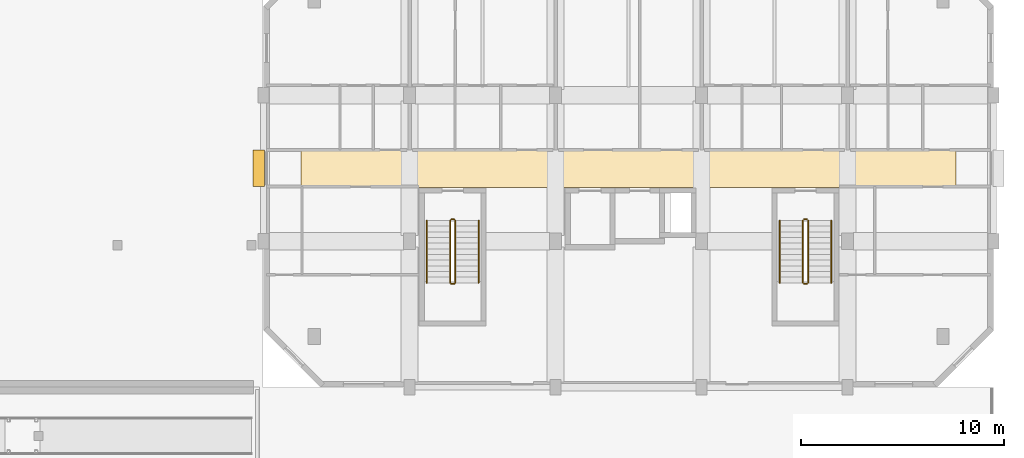
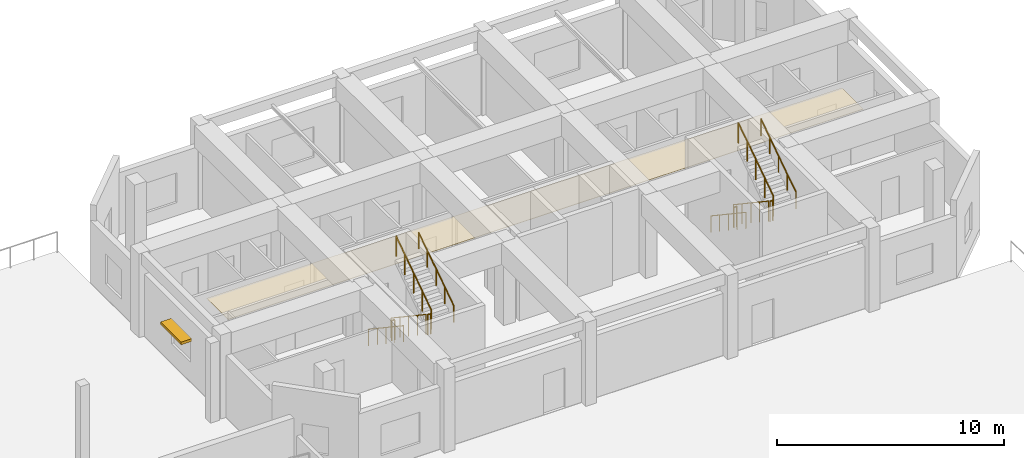
# One storey, part 84 of 85: 12 railings, 1 covering, 1 shading device.
"""IFC4 building model written with IfcOpenShell, lengths in metres."""

from ifc_helpers import new_model, si_unit, direction, frame, origin, origin_2d, place, context, subcontext, project, spatial, polyline, rectangle, circle, outline, extrude, material, layer, layer_set, type_object, element, save


model = new_model("IFC4")

# Units and contexts
model_context = context("Model", 3, precision=1e-05, world=origin(), true_north=direction((0.0, 1.0)))
body_context = subcontext(model_context, "Body", "Model", "MODEL_VIEW")
ifc_project = project(units=[si_unit("LENGTHUNIT", "METRE"), si_unit("AREAUNIT", "SQUARE_METRE"), si_unit("VOLUMEUNIT", "CUBIC_METRE"), si_unit("PLANEANGLEUNIT", "RADIAN"), si_unit("MASSUNIT", "GRAM", prefix="KILO")], contexts=[model_context])

# Site, building, storey
site_placement = place(None, origin())
site = spatial("IfcSite", under=ifc_project, at=site_placement, CompositionType="ELEMENT")
building_placement = place(site_placement, origin())
building = spatial("IfcBuilding", under=site, at=building_placement, Name="Ochrevale Crest", CompositionType="ELEMENT")
storey_placement = place(building_placement, origin())
storey = spatial("IfcBuildingStorey", under=building, at=storey_placement, Name="L00", CompositionType="ELEMENT", Elevation=0.0)

# Covering
ifc_material_1 = material(Name="Gypsum plasterboard", Category="gypsum")
ifc_layer = layer(ifc_material_1, 0.02490234375)
ifc_layer_set = layer_set([ifc_layer], Name="Gypsum plasterboard")
covering_type = type_object("IfcCoveringType", Name="COV-CEIL-GYP", PredefinedType="CEILING", material=ifc_layer_set)
covering_placement = place(storey_placement, frame((0.0, 0.0, 2.75)))
element("IfcCovering", 1, at=covering_placement, inside=storey, type_object=covering_type, Name="Block D L00 acoustic corridor ceiling", PredefinedType="CEILING", context=body_context, shape_type="SweptSolid", body=[
    extrude(outline(polyline([(131.449951171875, 81.860107421875), (163.75, 81.860107421875), (163.75, 83.739990234375), (131.449951171875, 83.739990234375), (131.449951171875, 81.860107421875)])), origin(), (0.0, 0.0, 1.0), 0.02490234375),
])

# Railings
ifc_material_2 = material(Name="Galvanised steel", Category="steel")
railing_type_1 = type_object("IfcRailingType", Name="RL-ST-GUARD", PredefinedType="BALUSTRADE", material=ifc_material_2)
railing_1_placement = place(storey_placement, frame((138.800048828125, 80.22509765625, 0.1875)))
element("IfcRailing", 2, at=railing_1_placement, inside=storey, type_object=railing_type_1, Name="L00 ST-D1 stair guard 1", PredefinedType="BALUSTRADE", context=body_context, shape_type="SweptSolid", body=[
    extrude(circle(Radius=0.02392578125, at=origin_2d()), frame((0.0, 0.0, 1.076171875), z_axis=(0.0, -0.830913701846, 0.55640131208), x_axis=(1.0, 0.0, 0.0)), (0.0, 0.0, 1.0), 3.706787109375),
    extrude(circle(Radius=0.02099609375, at=origin_2d()), origin(), (0.0, 0.0, 1.0), 1.052001953125),
    extrude(circle(Radius=0.02099609375, at=origin_2d()), frame((0.0, -0.77001953125, 0.515625)), (0.0, 0.0, 1.0), 1.052001953125),
    extrude(circle(Radius=0.02099609375, at=origin_2d()), frame((0.0, -1.5400390625, 1.03125)), (0.0, 0.0, 1.0), 1.052001953125),
    extrude(circle(Radius=0.02099609375, at=origin_2d()), frame((0.0, -2.31005859375, 1.546875)), (0.0, 0.0, 1.0), 1.052001953125),
    extrude(circle(Radius=0.02099609375, at=origin_2d()), frame((0.0, -3.080078125, 2.0625)), (0.0, 0.0, 1.0), 1.052001953125),
])
railing_2_placement = place(storey_placement, frame((138.85009765625, 77.094970703125, 2.25)))
element("IfcRailing", 3, at=railing_2_placement, inside=storey, type_object=railing_type_1, Name="L00 ST-D1 stair guard 2", PredefinedType="BALUSTRADE", context=body_context, shape_type="SweptSolid", body=[
    extrude(circle(Radius=0.02392578125, at=origin_2d()), frame((0.0, 0.0, 1.076171875), z_axis=(1.0, 0.0, 0.0), x_axis=(0.0, 1.0, 0.0)), (0.0, 0.0, 1.0), 0.14990234375),
    extrude(circle(Radius=0.02099609375, at=origin_2d()), origin(), (0.0, 0.0, 1.0), 1.052001953125),
    extrude(circle(Radius=0.02099609375, at=origin_2d()), frame((0.14990234375, 0.0, 0.0)), (0.0, 0.0, 1.0), 1.052001953125),
])
railing_3_placement = place(storey_placement, frame((139.050048828125, 77.14501953125, 2.4375)))
element("IfcRailing", 4, at=railing_3_placement, inside=storey, type_object=railing_type_1, Name="L00 ST-D1 stair guard 3", PredefinedType="BALUSTRADE", context=body_context, shape_type="SweptSolid", body=[
    extrude(circle(Radius=0.02392578125, at=origin_2d()), frame((0.0, 0.0, 1.076171875), z_axis=(0.0, 0.830913701846, 0.55640131208), x_axis=(-1.0, 0.0, 0.0)), (0.0, 0.0, 1.0), 3.706787109375),
    extrude(circle(Radius=0.02099609375, at=origin_2d()), origin(), (0.0, 0.0, 1.0), 1.052001953125),
    extrude(circle(Radius=0.02099609375, at=origin_2d()), frame((0.0, 0.77001953125, 0.515625)), (0.0, 0.0, 1.0), 1.052001953125),
    extrude(circle(Radius=0.02099609375, at=origin_2d()), frame((0.0, 1.5400390625, 1.03125)), (0.0, 0.0, 1.0), 1.052001953125),
    extrude(circle(Radius=0.02099609375, at=origin_2d()), frame((0.0, 2.31005859375, 1.546875)), (0.0, 0.0, 1.0), 1.052001953125),
    extrude(circle(Radius=0.02099609375, at=origin_2d()), frame((0.0, 3.080078125, 2.0625)), (0.0, 0.0, 1.0), 1.052001953125),
])
railing_4_placement = place(storey_placement, frame((138.85009765625, 80.27490234375, 0.0)))
element("IfcRailing", 5, at=railing_4_placement, inside=storey, type_object=railing_type_1, Name="L00 ST-D1 stair guard 4", PredefinedType="BALUSTRADE", context=body_context, shape_type="SweptSolid", body=[
    extrude(circle(Radius=0.02392578125, at=origin_2d()), frame((0.0, 0.0, 1.076171875), z_axis=(1.0, 0.0, 0.0), x_axis=(0.0, 1.0, 0.0)), (0.0, 0.0, 1.0), 0.14990234375),
    extrude(circle(Radius=0.02099609375, at=origin_2d()), origin(), (0.0, 0.0, 1.0), 1.052001953125),
    extrude(circle(Radius=0.02099609375, at=origin_2d()), frame((0.14990234375, 0.0, 0.0)), (0.0, 0.0, 1.0), 1.052001953125),
])
railing_5_placement = place(storey_placement, frame((156.199951171875, 80.22509765625, 0.1875)))
element("IfcRailing", 6, at=railing_5_placement, inside=storey, type_object=railing_type_1, Name="L00 ST-D2 stair guard 1", PredefinedType="BALUSTRADE", context=body_context, shape_type="SweptSolid", body=[
    extrude(circle(Radius=0.02392578125, at=origin_2d()), frame((0.0, 0.0, 1.076171875), z_axis=(0.0, -0.830913701846, 0.55640131208), x_axis=(1.0, 0.0, 0.0)), (0.0, 0.0, 1.0), 3.706787109375),
    extrude(circle(Radius=0.02099609375, at=origin_2d()), origin(), (0.0, 0.0, 1.0), 1.052001953125),
    extrude(circle(Radius=0.02099609375, at=origin_2d()), frame((0.0, -0.77001953125, 0.515625)), (0.0, 0.0, 1.0), 1.052001953125),
    extrude(circle(Radius=0.02099609375, at=origin_2d()), frame((0.0, -1.5400390625, 1.03125)), (0.0, 0.0, 1.0), 1.052001953125),
    extrude(circle(Radius=0.02099609375, at=origin_2d()), frame((0.0, -2.31005859375, 1.546875)), (0.0, 0.0, 1.0), 1.052001953125),
    extrude(circle(Radius=0.02099609375, at=origin_2d()), frame((0.0, -3.080078125, 2.0625)), (0.0, 0.0, 1.0), 1.052001953125),
])
railing_6_placement = place(storey_placement, frame((156.25, 77.094970703125, 2.25)))
element("IfcRailing", 7, at=railing_6_placement, inside=storey, type_object=railing_type_1, Name="L00 ST-D2 stair guard 2", PredefinedType="BALUSTRADE", context=body_context, shape_type="SweptSolid", body=[
    extrude(circle(Radius=0.02392578125, at=origin_2d()), frame((0.0, 0.0, 1.076171875), z_axis=(1.0, 0.0, 0.0), x_axis=(0.0, 1.0, 0.0)), (0.0, 0.0, 1.0), 0.14990234375),
    extrude(circle(Radius=0.02099609375, at=origin_2d()), origin(), (0.0, 0.0, 1.0), 1.052001953125),
    extrude(circle(Radius=0.02099609375, at=origin_2d()), frame((0.14990234375, 0.0, 0.0)), (0.0, 0.0, 1.0), 1.052001953125),
])
railing_7_placement = place(storey_placement, frame((156.449951171875, 77.14501953125, 2.4375)))
element("IfcRailing", 8, at=railing_7_placement, inside=storey, type_object=railing_type_1, Name="L00 ST-D2 stair guard 3", PredefinedType="BALUSTRADE", context=body_context, shape_type="SweptSolid", body=[
    extrude(circle(Radius=0.02392578125, at=origin_2d()), frame((0.0, 0.0, 1.076171875), z_axis=(0.0, 0.830913701846, 0.55640131208), x_axis=(-1.0, 0.0, 0.0)), (0.0, 0.0, 1.0), 3.706787109375),
    extrude(circle(Radius=0.02099609375, at=origin_2d()), origin(), (0.0, 0.0, 1.0), 1.052001953125),
    extrude(circle(Radius=0.02099609375, at=origin_2d()), frame((0.0, 0.77001953125, 0.515625)), (0.0, 0.0, 1.0), 1.052001953125),
    extrude(circle(Radius=0.02099609375, at=origin_2d()), frame((0.0, 1.5400390625, 1.03125)), (0.0, 0.0, 1.0), 1.052001953125),
    extrude(circle(Radius=0.02099609375, at=origin_2d()), frame((0.0, 2.31005859375, 1.546875)), (0.0, 0.0, 1.0), 1.052001953125),
    extrude(circle(Radius=0.02099609375, at=origin_2d()), frame((0.0, 3.080078125, 2.0625)), (0.0, 0.0, 1.0), 1.052001953125),
])
railing_8_placement = place(storey_placement, frame((156.25, 80.27490234375, 0.0)))
element("IfcRailing", 9, at=railing_8_placement, inside=storey, type_object=railing_type_1, Name="L00 ST-D2 stair guard 4", PredefinedType="BALUSTRADE", context=body_context, shape_type="SweptSolid", body=[
    extrude(circle(Radius=0.02392578125, at=origin_2d()), frame((0.0, 0.0, 1.076171875), z_axis=(1.0, 0.0, 0.0), x_axis=(0.0, 1.0, 0.0)), (0.0, 0.0, 1.0), 0.14990234375),
    extrude(circle(Radius=0.02099609375, at=origin_2d()), origin(), (0.0, 0.0, 1.0), 1.052001953125),
    extrude(circle(Radius=0.02099609375, at=origin_2d()), frame((0.14990234375, 0.0, 0.0)), (0.0, 0.0, 1.0), 1.052001953125),
])
ifc_material_3 = material(Name="Stainless steel", Category="steel")
railing_type_2 = type_object("IfcRailingType", Name="RL-ST-HRAIL", PredefinedType="HANDRAIL", material=ifc_material_3)
railing_9_placement = place(storey_placement, frame((137.64990234375, 80.22509765625, 0.1875)))
element("IfcRailing", 10, at=railing_9_placement, inside=storey, type_object=railing_type_2, Name="L00 ST-D1 stair handrail 1", PredefinedType="HANDRAIL", context=body_context, shape_type="SweptSolid", body=[
    extrude(circle(Radius=0.02392578125, at=origin_2d()), frame((0.0, 0.0, 0.8759765625), z_axis=(0.0, -0.830913701846, 0.55640131208), x_axis=(1.0, 0.0, 0.0)), (0.0, 0.0, 1.0), 3.706787109375),
    extrude(circle(Radius=0.02099609375, at=origin_2d()), origin(), (0.0, 0.0, 1.0), 0.851806640625),
    extrude(circle(Radius=0.02099609375, at=origin_2d()), frame((0.0, -0.77001953125, 0.515625)), (0.0, 0.0, 1.0), 0.851806640625),
    extrude(circle(Radius=0.02099609375, at=origin_2d()), frame((0.0, -1.5400390625, 1.03125)), (0.0, 0.0, 1.0), 0.851806640625),
    extrude(circle(Radius=0.02099609375, at=origin_2d()), frame((0.0, -2.31005859375, 1.546875)), (0.0, 0.0, 1.0), 0.851806640625),
    extrude(circle(Radius=0.02099609375, at=origin_2d()), frame((0.0, -3.080078125, 2.0625)), (0.0, 0.0, 1.0), 0.851806640625),
])
railing_10_placement = place(storey_placement, frame((140.199951171875, 77.14501953125, 2.4375)))
element("IfcRailing", 11, at=railing_10_placement, inside=storey, type_object=railing_type_2, Name="L00 ST-D1 stair handrail 2", PredefinedType="HANDRAIL", context=body_context, shape_type="SweptSolid", body=[
    extrude(circle(Radius=0.02392578125, at=origin_2d()), frame((0.0, 0.0, 0.8759765625), z_axis=(0.0, 0.830913701846, 0.55640131208), x_axis=(-1.0, 0.0, 0.0)), (0.0, 0.0, 1.0), 3.706787109375),
    extrude(circle(Radius=0.02099609375, at=origin_2d()), origin(), (0.0, 0.0, 1.0), 0.851806640625),
    extrude(circle(Radius=0.02099609375, at=origin_2d()), frame((0.0, 0.77001953125, 0.515625)), (0.0, 0.0, 1.0), 0.851806640625),
    extrude(circle(Radius=0.02099609375, at=origin_2d()), frame((0.0, 1.5400390625, 1.03125)), (0.0, 0.0, 1.0), 0.851806640625),
    extrude(circle(Radius=0.02099609375, at=origin_2d()), frame((0.0, 2.31005859375, 1.546875)), (0.0, 0.0, 1.0), 0.851806640625),
    extrude(circle(Radius=0.02099609375, at=origin_2d()), frame((0.0, 3.080078125, 2.0625)), (0.0, 0.0, 1.0), 0.851806640625),
])
railing_11_placement = place(storey_placement, frame((155.050048828125, 80.22509765625, 0.1875)))
element("IfcRailing", 12, at=railing_11_placement, inside=storey, type_object=railing_type_2, Name="L00 ST-D2 stair handrail 1", PredefinedType="HANDRAIL", context=body_context, shape_type="SweptSolid", body=[
    extrude(circle(Radius=0.02392578125, at=origin_2d()), frame((0.0, 0.0, 0.8759765625), z_axis=(0.0, -0.830913701846, 0.55640131208), x_axis=(1.0, 0.0, 0.0)), (0.0, 0.0, 1.0), 3.706787109375),
    extrude(circle(Radius=0.02099609375, at=origin_2d()), origin(), (0.0, 0.0, 1.0), 0.851806640625),
    extrude(circle(Radius=0.02099609375, at=origin_2d()), frame((0.0, -0.77001953125, 0.515625)), (0.0, 0.0, 1.0), 0.851806640625),
    extrude(circle(Radius=0.02099609375, at=origin_2d()), frame((0.0, -1.5400390625, 1.03125)), (0.0, 0.0, 1.0), 0.851806640625),
    extrude(circle(Radius=0.02099609375, at=origin_2d()), frame((0.0, -2.31005859375, 1.546875)), (0.0, 0.0, 1.0), 0.851806640625),
    extrude(circle(Radius=0.02099609375, at=origin_2d()), frame((0.0, -3.080078125, 2.0625)), (0.0, 0.0, 1.0), 0.851806640625),
])
railing_12_placement = place(storey_placement, frame((157.60009765625, 77.14501953125, 2.4375)))
element("IfcRailing", 13, at=railing_12_placement, inside=storey, type_object=railing_type_2, Name="L00 ST-D2 stair handrail 2", PredefinedType="HANDRAIL", context=body_context, shape_type="SweptSolid", body=[
    extrude(circle(Radius=0.02392578125, at=origin_2d()), frame((0.0, 0.0, 0.8759765625), z_axis=(0.0, 0.830913701846, 0.55640131208), x_axis=(-1.0, 0.0, 0.0)), (0.0, 0.0, 1.0), 3.706787109375),
    extrude(circle(Radius=0.02099609375, at=origin_2d()), origin(), (0.0, 0.0, 1.0), 0.851806640625),
    extrude(circle(Radius=0.02099609375, at=origin_2d()), frame((0.0, 0.77001953125, 0.515625)), (0.0, 0.0, 1.0), 0.851806640625),
    extrude(circle(Radius=0.02099609375, at=origin_2d()), frame((0.0, 1.5400390625, 1.03125)), (0.0, 0.0, 1.0), 0.851806640625),
    extrude(circle(Radius=0.02099609375, at=origin_2d()), frame((0.0, 2.31005859375, 1.546875)), (0.0, 0.0, 1.0), 0.851806640625),
    extrude(circle(Radius=0.02099609375, at=origin_2d()), frame((0.0, 3.080078125, 2.0625)), (0.0, 0.0, 1.0), 0.851806640625),
])

# Shading device
ifc_material_4 = material(Name="Anodised aluminium 6063-T5", Category="aluminium")
shading_device_type = type_object("IfcShadingDeviceType", Name="SHD-SUNSHADE-OC", PredefinedType="USERDEFINED", material=ifc_material_4)
shading_device_placement = place(storey_placement, frame((129.360107421875, 82.800048828125, 2.2099609375), z_axis=(0.0, 0.0, 1.0), x_axis=(1.0, 0.0, 0.0)))
element("IfcShadingDevice", 14, at=shading_device_placement, inside=storey, type_object=shading_device_type, Name="Block D L00 gable window sunshade W", ObjectType="HORIZONTAL SUNSHADE", PredefinedType="USERDEFINED", context=body_context, shape_type="SweptSolid", body=[
    extrude(rectangle(XDim=0.550048828125, YDim=1.800048828125, at=origin_2d()), origin(), (0.0, 0.0, 1.0), 0.139892578125),
])

save(model, "model.ifc")
